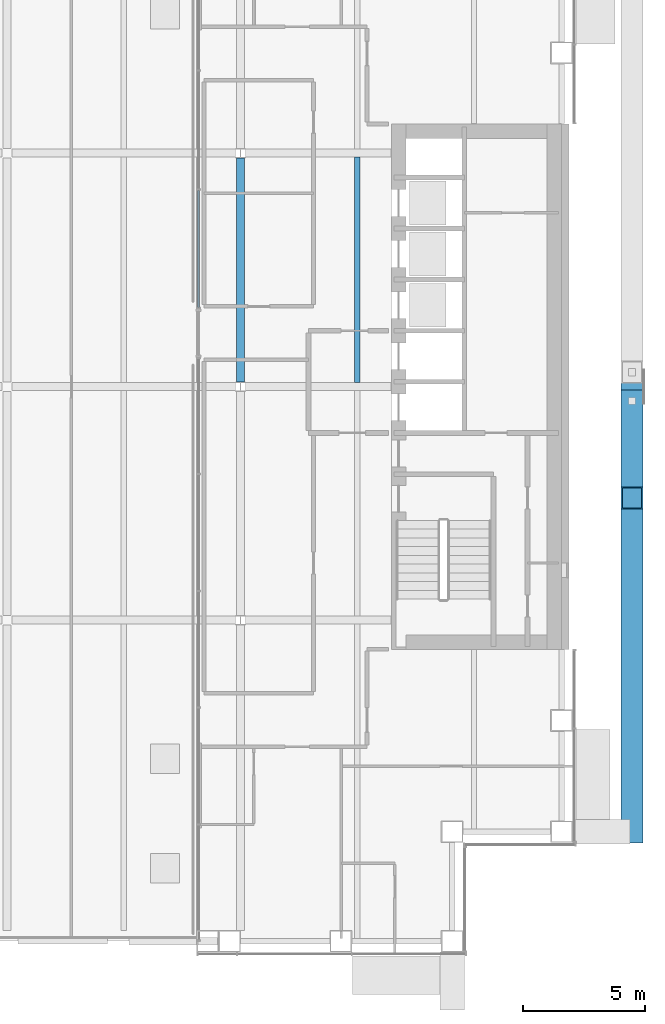
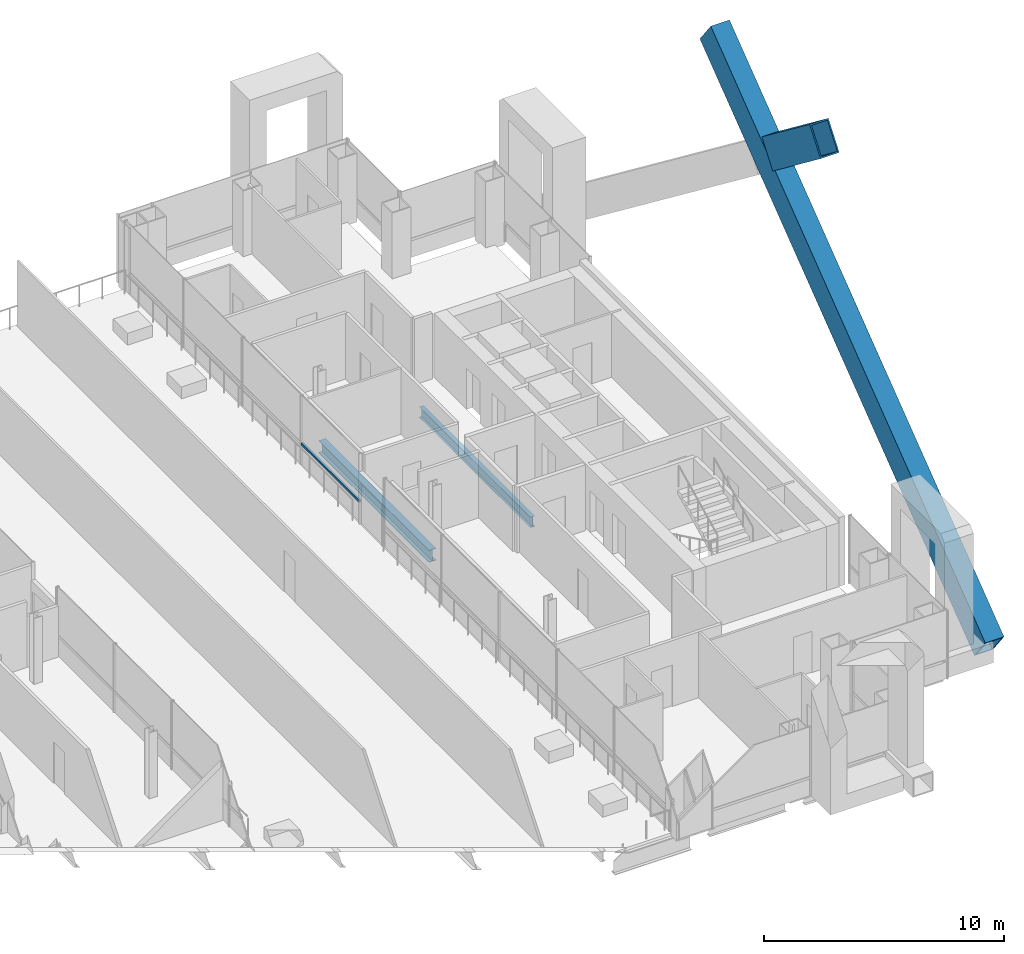
# One storey, part 7 of 20: 3 members, 2 beams, 1 element without a shape of its own.
"""IFC4 building model written with IfcOpenShell, lengths in metres."""

from ifc_helpers import new_model, si_unit, direction, frame, origin, origin_2d, place, context, subcontext, project, spatial, rectangle, hollow_rectangle, i_section, extrude, material, material_profile, profile_set, type_object, element, aggregate, save


model = new_model("IFC4")

# Units and contexts
model_context = context("Model", 3, precision=1e-05, world=origin(), true_north=direction((0.0, 1.0)))
body_context = subcontext(model_context, "Body", "Model", "MODEL_VIEW")
ifc_project = project(units=[si_unit("LENGTHUNIT", "METRE"), si_unit("AREAUNIT", "SQUARE_METRE"), si_unit("VOLUMEUNIT", "CUBIC_METRE"), si_unit("PLANEANGLEUNIT", "RADIAN"), si_unit("MASSUNIT", "GRAM", prefix="KILO")], contexts=[model_context])

# Site, building, storey
site_placement = place(None, origin())
site = spatial("IfcSite", under=ifc_project, at=site_placement, CompositionType="ELEMENT")
building_placement = place(site_placement, origin())
building = spatial("IfcBuilding", under=site, at=building_placement, Name="Cobrizo Arcos Hotel Tower", CompositionType="ELEMENT")
storey_placement = place(building_placement, frame((0.0, 0.0, 117.0)))
storey = spatial("IfcBuildingStorey", under=building, at=storey_placement, Name="L29", CompositionType="ELEMENT", Elevation=117.0)

# Members
ifc_material_1 = material(Name="Steel ASTM A572 Grade 50", Category="steel")
ifc_material_profile_1 = material_profile(ifc_material_1, hollow_rectangle(XDim=0.89990234375, YDim=1.5, WallThickness=0.06494140625, at=origin_2d()), Name="BOX 900X1500X65")
ifc_profile_set_1 = profile_set([ifc_material_profile_1], Name="Steel ASTM A572 Grade 50")
member_type_1 = type_object("IfcMemberType", Name="BOX 900X1500X65 perimeter brace", PredefinedType="BRACE", material=ifc_profile_set_1)
member_1_placement = place(storey_placement, frame((25.699951171875, -18.300048828125, 0.5), z_axis=(0.0, 0.794234626601, 0.607611189749), x_axis=(-1.0, 0.0, 0.0)))
element("IfcMember", 1, at=member_1_placement, inside=storey, type_object=member_type_1, Name="Perimeter brace PBR2, zone Z2, east face, no. 04", PredefinedType="BRACE", context=body_context, shape_type="SweptSolid", body=[
    extrude(hollow_rectangle(XDim=0.89990234375, YDim=1.5, WallThickness=0.06494140625, at=origin_2d()), origin(), (0.0, 0.0, 1.0), 28.80126953125),
])
member_2_placement = place(storey_placement, frame((25.699951171875, -0.59326171875, 14.953857421875), z_axis=(0.0, -0.794230645471, 0.607616393619), x_axis=(1.0, 0.0, 0.0)))
element("IfcMember", 2, at=member_2_placement, inside=storey, type_object=member_type_1, Name="Perimeter brace PBR2, zone Z2, east face, no. 05b", PredefinedType="BRACE", context=body_context, shape_type="SweptSolid", body=[
    extrude(hollow_rectangle(XDim=0.89990234375, YDim=1.5, WallThickness=0.06494140625, at=origin_2d()), origin(), (0.0, 0.0, 1.0), 5.01318359375),
])

# Curtain wall, member
ifc_material_2 = material(Name="Aluminium 6063-T6 anodised bronze", Category="aluminium")
curtain_wall_type = type_object("IfcCurtainWallType", Name="CW-F void screen", PredefinedType="NOTDEFINED", material=ifc_material_2)
curtain_wall_placement = place(storey_placement, origin())
curtain_wall = element("IfcCurtainWall", 3, at=curtain_wall_placement, inside=storey, type_object=curtain_wall_type, Name="CW-F L29 void screen B", PredefinedType="NOTDEFINED")
ifc_material_profile_2 = material_profile(ifc_material_2, rectangle(XDim=0.10009765625, YDim=0.1201171875, at=origin_2d()), Name="CW-F transom 120x100")
ifc_profile_set_2 = profile_set([ifc_material_profile_2], Name="Aluminium 6063-T6 anodised bronze")
member_type_2 = type_object("IfcMemberType", Name="CW-F transom 120x100", PredefinedType="USERDEFINED", material=ifc_profile_set_2)
member_3_placement = place(storey_placement, frame((7.875, 3.260009765625, 1.050048828125), z_axis=(0.0, 1.0, 0.0), x_axis=(-1.0, 0.0, 0.0)))
member_3 = element("IfcMember", 4, at=member_3_placement, type_object=member_type_2, Name="CW-F transom 2573", ObjectType="TRANSOM", PredefinedType="USERDEFINED", context=body_context, shape_type="SweptSolid", body=[
    extrude(rectangle(XDim=0.10009765625, YDim=0.1201171875, at=origin_2d()), origin(), (0.0, 0.0, 1.0), 4.81005859375),
])
aggregate(curtain_wall, [member_3])

# Beams
ifc_material_3 = material(Name="Steel ASTM A992 Grade 50", Category="steel")
ifc_material_profile_3 = material_profile(ifc_material_3, i_section(OverallWidth=0.209228515625, OverallDepth=0.533447265625, WebThickness=0.01025390625, FlangeThickness=0.015625, at=origin_2d()), Name="W21X62")
ifc_profile_set_3 = profile_set([ifc_material_profile_3], Name="Steel ASTM A992 Grade 50")
beam_type_1 = type_object("IfcBeamType", Name="W21X62 joist", PredefinedType="JOIST", material=ifc_profile_set_3)
beam_1_placement = place(storey_placement, frame((14.39990234375, 0.163818359375, -0.416748046875), z_axis=(0.0, 1.0, 0.0), x_axis=(-1.0, 0.0, 0.0)))
element("IfcBeam", 5, at=beam_1_placement, inside=storey, type_object=beam_type_1, Name="Floor joist J1, L29, no. 017", PredefinedType="JOIST", context=body_context, shape_type="SweptSolid", body=[
    extrude(i_section(OverallWidth=0.209228515625, OverallDepth=0.533447265625, WebThickness=0.01025390625, FlangeThickness=0.015625, at=origin_2d()), origin(), (0.0, 0.0, 1.0), 9.272216796875),
])
ifc_material_profile_4 = material_profile(ifc_material_3, i_section(OverallWidth=0.32763671875, OverallDepth=0.622314453125, WebThickness=0.015380859375, FlangeThickness=0.0244140625, at=origin_2d()), Name="W24X131")
ifc_profile_set_4 = profile_set([ifc_material_profile_4], Name="Steel ASTM A992 Grade 50")
beam_type_2 = type_object("IfcBeamType", Name="W24X131 girder", PredefinedType="BEAM", material=ifc_profile_set_4)
beam_2_placement = place(storey_placement, frame((9.60009765625, 0.199462890625, -0.461181640625), z_axis=(0.0, 1.0, 0.0), x_axis=(-1.0, 0.0, 0.0)))
element("IfcBeam", 6, at=beam_2_placement, inside=storey, type_object=beam_type_2, Name="Floor girder G1, L29, no. 023", PredefinedType="BEAM", context=body_context, shape_type="SweptSolid", body=[
    extrude(i_section(OverallWidth=0.32763671875, OverallDepth=0.622314453125, WebThickness=0.015380859375, FlangeThickness=0.0244140625, at=origin_2d()), origin(), (0.0, 0.0, 1.0), 9.201171875),
])

save(model, "model.ifc")
